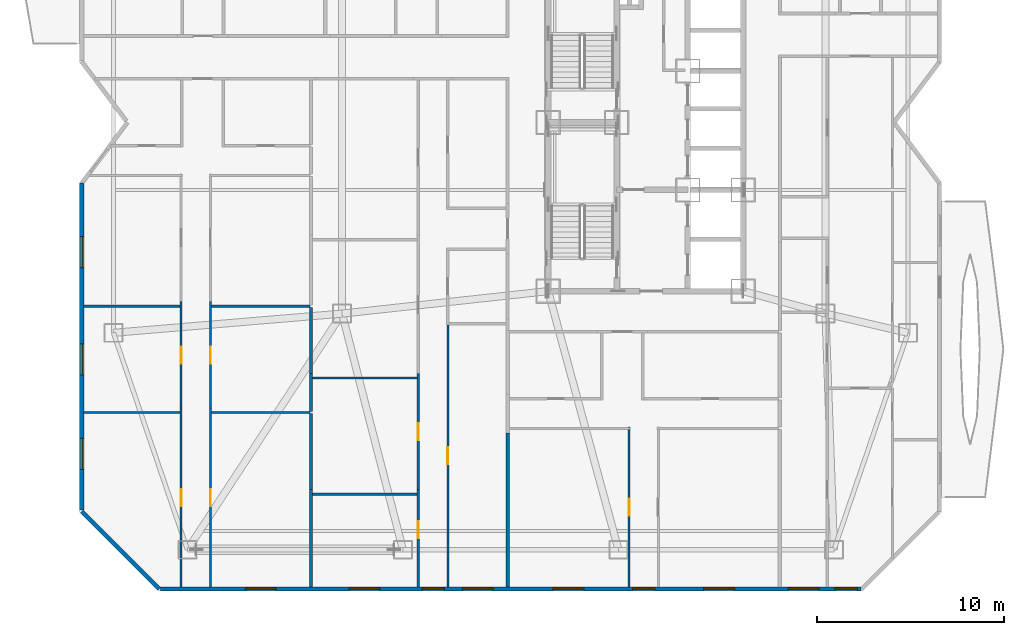
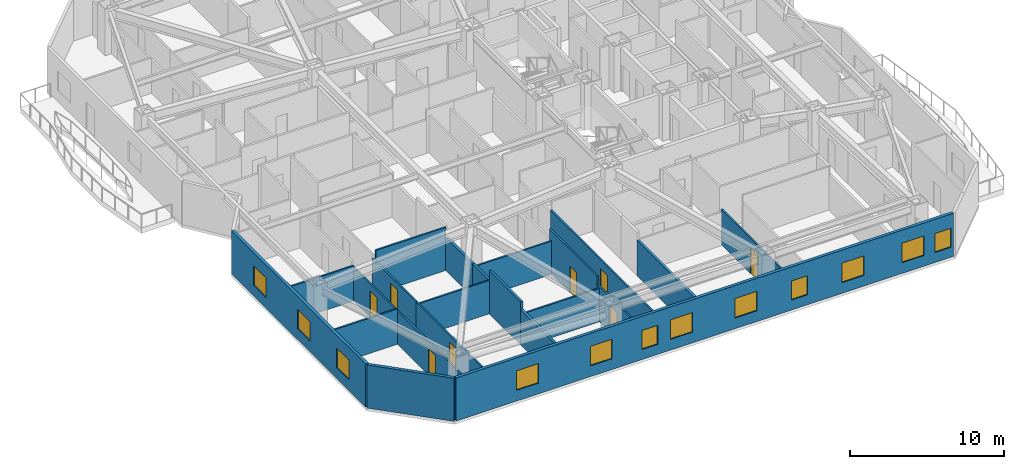
# One storey, part 8 of 16: 22 walls, 12 windows, 8 doors, 20 openings.
"""IFC4 building model written with IfcOpenShell, lengths in metres."""

from ifc_helpers import new_model, si_unit, direction, frame, frame_2d, origin, place, context, subcontext, project, spatial, rectangle, extrude, material, layer, layer_set, type_object, element, fill, save


model = new_model("IFC4")

# Units and contexts
model_context = context("Model", 3, precision=1e-05, world=origin(), true_north=direction((0.0, 1.0)))
body_context = subcontext(model_context, "Body", "Model", "MODEL_VIEW")
ifc_project = project(units=[si_unit("LENGTHUNIT", "METRE"), si_unit("AREAUNIT", "SQUARE_METRE"), si_unit("VOLUMEUNIT", "CUBIC_METRE"), si_unit("PLANEANGLEUNIT", "RADIAN"), si_unit("MASSUNIT", "GRAM", prefix="KILO")], contexts=[model_context])

# Site, building, storey
site_placement = place(None, origin())
site = spatial("IfcSite", under=ifc_project, at=site_placement, CompositionType="ELEMENT")
building_placement = place(site_placement, origin())
building = spatial("IfcBuilding", under=site, at=building_placement, Name="Khamvora Tower", CompositionType="ELEMENT")
storey_placement = place(building_placement, frame((0.0, 0.0, 77.10009765625)))
storey = spatial("IfcBuildingStorey", under=building, at=storey_placement, Name="L19", CompositionType="ELEMENT", Elevation=77.10009765625)

# Walls
ifc_material_1 = material(Name="Acoustic Double-Stud Fire Wall", Category="gypsum")
ifc_layer_1 = layer(ifc_material_1, 0.179931640625)
ifc_layer_set_1 = layer_set([ifc_layer_1], Name="Acoustic Double-Stud Fire Wall")
wall_type_1 = type_object("IfcWallType", Name="WAL-CORR-180", PredefinedType="STANDARD", material=ifc_layer_set_1)
wall_1_placement = place(storey_placement, frame((16.345947265625, 8.406982421875, 0.0), z_axis=(0.0, 0.0, 1.0), x_axis=(0.0, -1.0, 0.0)))
element("IfcWall", 1, at=wall_1_placement, inside=storey, type_object=wall_type_1, Name="L19 interior partition wall 057", PredefinedType="STANDARD", context=body_context, shape_type="SweptSolid", body=[
    extrude(rectangle(XDim=5.195068359375, YDim=0.179931640625, at=frame_2d((2.59765625, 0.0))), origin(), (0.0, 0.0, 1.0), 2.802978515625),
])
wall_2_placement = place(storey_placement, frame((16.345947265625, 12.45703125, 0.0), z_axis=(0.0, 0.0, 1.0), x_axis=(0.0, -1.0, 0.0)))
element("IfcWall", 2, at=wall_2_placement, inside=storey, type_object=wall_type_1, Name="L19 interior partition wall 058", PredefinedType="STANDARD", context=body_context, shape_type="SweptSolid", body=[
    extrude(rectangle(XDim=4.050048828125, YDim=0.179931640625, at=frame_2d((2.02490234375, 0.0))), origin(), (0.0, 0.0, 1.0), 3.429931640625),
])
wall_3_placement = place(storey_placement, frame((16.345947265625, 14.616943359375, 0.0), z_axis=(0.0, 0.0, 1.0), x_axis=(0.0, -1.0, 0.0)))
element("IfcWall", 3, at=wall_3_placement, inside=storey, type_object=wall_type_1, Name="L19 interior partition wall 060", PredefinedType="STANDARD", context=body_context, shape_type="SweptSolid", body=[
    extrude(rectangle(XDim=2.030029296875, YDim=0.179931640625, at=frame_2d((1.01513671875, 0.0))), origin(), (0.0, 0.0, 1.0), 2.64697265625),
])
wall_4_placement = place(storey_placement, frame((16.345947265625, 18.126953125, 0.0), z_axis=(0.0, 0.0, 1.0), x_axis=(0.0, -1.0, 0.0)))
element("IfcWall", 4, at=wall_4_placement, inside=storey, type_object=wall_type_1, Name="L19 interior partition wall 061", PredefinedType="STANDARD", context=body_context, shape_type="SweptSolid", body=[
    extrude(rectangle(XDim=3.510009765625, YDim=0.179931640625, at=frame_2d((1.7548828125, 0.0))), origin(), (0.0, 0.0, 1.0), 2.64697265625),
])
wall_5_placement = place(storey_placement, frame((26.8349609375, 11.426025390625, 0.0), z_axis=(0.0, 0.0, 1.0), x_axis=(0.0, -1.0, 0.0)))
element("IfcWall", 5, at=wall_5_placement, inside=storey, type_object=wall_type_1, Name="L19 interior partition wall 068", PredefinedType="STANDARD", context=body_context, shape_type="SweptSolid", body=[
    extrude(rectangle(XDim=8.214111328125, YDim=0.179931640625, at=frame_2d((4.10693359375, 0.0))), origin(), (0.0, 0.0, 1.0), 2.802978515625),
])
ifc_material_2 = material(Name="Precast concrete C40/50", Category="concrete")
ifc_layer_2 = layer(ifc_material_2, 0.219970703125)
ifc_layer_set_2 = layer_set([ifc_layer_2], Name="Precast concrete C40/50")
wall_type_2 = type_object("IfcWallType", Name="WAL-EXT-220", PredefinedType="STANDARD", material=ifc_layer_set_2)
wall_6_placement = place(storey_placement, frame((8.24609375, 3.110107421875, 0.0), z_axis=(0.0, 0.0, 1.0), x_axis=(-0.707106781187, 0.707106781187, 0.0)))
element("IfcWall", 6, at=wall_6_placement, inside=storey, type_object=wall_type_2, Name="L19 exterior facade wall 01.1", PredefinedType="STANDARD", context=body_context, shape_type="SweptSolid", body=[
    extrude(rectangle(XDim=5.84912109375, YDim=0.219970703125, at=frame_2d((2.924560546875, 0.0))), origin(), (0.0, 0.0, 1.0), 3.429931640625),
])

# Wall, openings, windows
wall_7_placement = place(storey_placement, frame((4.110107421875, 7.31689453125, 0.0), z_axis=(0.0, 0.0, 1.0), x_axis=(0.0, 1.0, 0.0)))
wall_7 = element("IfcWall", 7, at=wall_7_placement, inside=storey, type_object=wall_type_2, Name="L19 exterior facade wall 02.1", PredefinedType="STANDARD", context=body_context, shape_type="SweptSolid", body=[
    extrude(rectangle(XDim=17.446044921875, YDim=0.219970703125, at=frame_2d((8.72314453125, 0.0))), origin(), (0.0, 0.0, 1.0), 3.429931640625),
])
opening_1_placement = place(wall_7_placement, frame((2.169921875, 0.0, 0.85009765625)))
opening_1 = element("IfcOpeningElement", 8, at=opening_1_placement, cuts=wall_7, Name="Opening WN-06", PredefinedType="OPENING", context=body_context, shape_type="SweptSolid", body=[
    extrude(rectangle(XDim=1.64990234375, YDim=1.550048828125, at=frame_2d((0.824951171875, 0.77490234375))), frame((0.0, 0.119873046875, 0.0), z_axis=(0.0, -1.0, 0.0), x_axis=(1.0, 0.0, 0.0)), (0.0, 0.0, 1.0), 0.239990234375),
])
opening_2_placement = place(wall_7_placement, frame((7.215087890625, 0.0, 0.85009765625)))
opening_2 = element("IfcOpeningElement", 9, at=opening_2_placement, cuts=wall_7, Name="Opening WN-06", PredefinedType="OPENING", context=body_context, shape_type="SweptSolid", body=[
    extrude(rectangle(XDim=1.64990234375, YDim=1.550048828125, at=frame_2d((0.824951171875, 0.77490234375))), frame((0.0, 0.119873046875, 0.0), z_axis=(0.0, -1.0, 0.0), x_axis=(1.0, 0.0, 0.0)), (0.0, 0.0, 1.0), 0.239990234375),
])
opening_3_placement = place(wall_7_placement, frame((12.943115234375, 0.0, 0.85009765625)))
opening_3 = element("IfcOpeningElement", 10, at=opening_3_placement, cuts=wall_7, Name="Opening WN-06", PredefinedType="OPENING", context=body_context, shape_type="SweptSolid", body=[
    extrude(rectangle(XDim=1.64990234375, YDim=1.550048828125, at=frame_2d((0.824951171875, 0.77490234375))), frame((0.0, 0.119873046875, 0.0), z_axis=(0.0, -1.0, 0.0), x_axis=(1.0, 0.0, 0.0)), (0.0, 0.0, 1.0), 0.239990234375),
])
ifc_material_3 = material(Name="Low-E Laminated Double Glazing", Category="glass")
window_type_1 = type_object("IfcWindowType", Name="WIN-VIS-1650x1550", PartitioningType="SINGLE_PANEL", PredefinedType="WINDOW", material=ifc_material_3)
window_1_placement = place(opening_1_placement, origin())
window_1 = element("IfcWindow", 11, at=window_1_placement, inside=storey, type_object=window_type_1, Name="L19 vision window 02.1.01", OverallHeight=1.550048828125, OverallWidth=1.64990234375, PartitioningType="SINGLE_PANEL", PredefinedType="WINDOW", context=body_context, shape_type="SweptSolid", body=[
    extrude(rectangle(XDim=1.64990234375, YDim=1.550048828125, at=frame_2d((0.824951171875, 0.77490234375))), frame((0.0, 0.030029296875, 0.0), z_axis=(0.0, -1.0, 0.0), x_axis=(1.0, 0.0, 0.0)), (0.0, 0.0, 1.0), 0.06005859375),
])
fill(opening_1, window_1)
window_2_placement = place(opening_2_placement, origin())
window_2 = element("IfcWindow", 12, at=window_2_placement, inside=storey, type_object=window_type_1, Name="L19 vision window 02.1.02", OverallHeight=1.550048828125, OverallWidth=1.64990234375, PartitioningType="SINGLE_PANEL", PredefinedType="WINDOW", context=body_context, shape_type="SweptSolid", body=[
    extrude(rectangle(XDim=1.64990234375, YDim=1.550048828125, at=frame_2d((0.824951171875, 0.77490234375))), frame((0.0, 0.030029296875, 0.0), z_axis=(0.0, -1.0, 0.0), x_axis=(1.0, 0.0, 0.0)), (0.0, 0.0, 1.0), 0.06005859375),
])
fill(opening_2, window_2)
window_3_placement = place(opening_3_placement, origin())
window_3 = element("IfcWindow", 13, at=window_3_placement, inside=storey, type_object=window_type_1, Name="L19 vision window 02.1.03", OverallHeight=1.550048828125, OverallWidth=1.64990234375, PartitioningType="SINGLE_PANEL", PredefinedType="WINDOW", context=body_context, shape_type="SweptSolid", body=[
    extrude(rectangle(XDim=1.64990234375, YDim=1.550048828125, at=frame_2d((0.824951171875, 0.77490234375))), frame((0.0, 0.030029296875, 0.0), z_axis=(0.0, -1.0, 0.0), x_axis=(1.0, 0.0, 0.0)), (0.0, 0.0, 1.0), 0.06005859375),
])
fill(opening_3, window_3)

wall_8_placement = place(storey_placement, frame((45.68310546875, 3.110107421875, 0.0), z_axis=(0.0, 0.0, 1.0), x_axis=(-1.0, 0.0, 0.0)))
wall_8 = element("IfcWall", 14, at=wall_8_placement, inside=storey, type_object=wall_type_2, Name="L19 exterior facade wall 14.1", PredefinedType="STANDARD", context=body_context, shape_type="SweptSolid", body=[
    extrude(rectangle(XDim=37.3681640625, YDim=0.219970703125, at=frame_2d((18.68408203125, 0.0))), origin(), (0.0, 0.0, 1.0), 3.429931640625),
])
opening_4_placement = place(wall_8_placement, frame((31.194091796875, 0.0, 0.85009765625)))
opening_4 = element("IfcOpeningElement", 15, at=opening_4_placement, cuts=wall_8, Name="Opening WN-06", PredefinedType="OPENING", context=body_context, shape_type="SweptSolid", body=[
    extrude(rectangle(XDim=1.64990234375, YDim=1.550048828125, at=frame_2d((0.824951171875, 0.77490234375))), frame((0.0, 0.119873046875, 0.0), z_axis=(0.0, -1.0, 0.0), x_axis=(1.0, 0.0, 0.0)), (0.0, 0.0, 1.0), 0.239990234375),
])
opening_5_placement = place(wall_8_placement, frame((19.614990234375, 0.0, 0.85009765625)))
opening_5 = element("IfcOpeningElement", 16, at=opening_5_placement, cuts=wall_8, Name="Opening WN-06", PredefinedType="OPENING", context=body_context, shape_type="SweptSolid", body=[
    extrude(rectangle(XDim=1.64990234375, YDim=1.550048828125, at=frame_2d((0.824951171875, 0.77490234375))), frame((0.0, 0.119873046875, 0.0), z_axis=(0.0, -1.0, 0.0), x_axis=(1.0, 0.0, 0.0)), (0.0, 0.0, 1.0), 0.239990234375),
])
opening_6_placement = place(wall_8_placement, frame((22.222900390625, 0.0, 0.800048828125)))
opening_6 = element("IfcOpeningElement", 17, at=opening_6_placement, cuts=wall_8, Name="Opening WN-03", PredefinedType="OPENING", context=body_context, shape_type="SweptSolid", body=[
    extrude(rectangle(XDim=1.199951171875, YDim=1.5, at=frame_2d((0.60009765625, 0.75))), frame((0.0, 0.119873046875, 0.0), z_axis=(0.0, -1.0, 0.0), x_axis=(1.0, 0.0, 0.0)), (0.0, 0.0, 1.0), 0.239990234375),
])
opening_7_placement = place(wall_8_placement, frame((25.64990234375, 0.0, 0.85009765625)))
opening_7 = element("IfcOpeningElement", 18, at=opening_7_placement, cuts=wall_8, Name="Opening WN-06", PredefinedType="OPENING", context=body_context, shape_type="SweptSolid", body=[
    extrude(rectangle(XDim=1.64990234375, YDim=1.550048828125, at=frame_2d((0.824951171875, 0.77490234375))), frame((0.0, 0.119873046875, 0.0), z_axis=(0.0, -1.0, 0.0), x_axis=(1.0, 0.0, 0.0)), (0.0, 0.0, 1.0), 0.239990234375),
])
opening_8_placement = place(wall_8_placement, frame((10.98291015625, 0.0, 0.800048828125)))
opening_8 = element("IfcOpeningElement", 19, at=opening_8_placement, cuts=wall_8, Name="Opening WN-03", PredefinedType="OPENING", context=body_context, shape_type="SweptSolid", body=[
    extrude(rectangle(XDim=1.199951171875, YDim=1.5, at=frame_2d((0.60009765625, 0.75))), frame((0.0, 0.119873046875, 0.0), z_axis=(0.0, -1.0, 0.0), x_axis=(1.0, 0.0, 0.0)), (0.0, 0.0, 1.0), 0.239990234375),
])
opening_9_placement = place(wall_8_placement, frame((14.782958984375, 0.0, 0.85009765625)))
opening_9 = element("IfcOpeningElement", 20, at=opening_9_placement, cuts=wall_8, Name="Opening WN-06", PredefinedType="OPENING", context=body_context, shape_type="SweptSolid", body=[
    extrude(rectangle(XDim=1.64990234375, YDim=1.550048828125, at=frame_2d((0.824951171875, 0.77490234375))), frame((0.0, 0.119873046875, 0.0), z_axis=(0.0, -1.0, 0.0), x_axis=(1.0, 0.0, 0.0)), (0.0, 0.0, 1.0), 0.239990234375),
])
opening_10_placement = place(wall_8_placement, frame((6.73291015625, 0.0, 0.85009765625)))
opening_10 = element("IfcOpeningElement", 21, at=opening_10_placement, cuts=wall_8, Name="Opening WN-06", PredefinedType="OPENING", context=body_context, shape_type="SweptSolid", body=[
    extrude(rectangle(XDim=1.64990234375, YDim=1.550048828125, at=frame_2d((0.824951171875, 0.77490234375))), frame((0.0, 0.119873046875, 0.0), z_axis=(0.0, -1.0, 0.0), x_axis=(1.0, 0.0, 0.0)), (0.0, 0.0, 1.0), 0.239990234375),
])
opening_11_placement = place(wall_8_placement, frame((2.22802734375, 0.0, 0.85009765625)))
opening_11 = element("IfcOpeningElement", 22, at=opening_11_placement, cuts=wall_8, Name="Opening WN-06", PredefinedType="OPENING", context=body_context, shape_type="SweptSolid", body=[
    extrude(rectangle(XDim=1.64990234375, YDim=1.550048828125, at=frame_2d((0.824951171875, 0.77490234375))), frame((0.0, 0.119873046875, 0.0), z_axis=(0.0, -1.0, 0.0), x_axis=(1.0, 0.0, 0.0)), (0.0, 0.0, 1.0), 0.239990234375),
])
opening_12_placement = place(wall_8_placement, frame((0.18701171875, 0.0, 0.800048828125)))
opening_12 = element("IfcOpeningElement", 23, at=opening_12_placement, cuts=wall_8, Name="Opening WN-03", PredefinedType="OPENING", context=body_context, shape_type="SweptSolid", body=[
    extrude(rectangle(XDim=1.199951171875, YDim=1.5, at=frame_2d((0.60009765625, 0.75))), frame((0.0, 0.119873046875, 0.0), z_axis=(0.0, -1.0, 0.0), x_axis=(1.0, 0.0, 0.0)), (0.0, 0.0, 1.0), 0.239990234375),
])
window_type_2 = type_object("IfcWindowType", Name="WIN-VIS-1200x1500", PartitioningType="SINGLE_PANEL", PredefinedType="WINDOW", material=ifc_material_3)
window_4_placement = place(opening_6_placement, origin())
window_4 = element("IfcWindow", 24, at=window_4_placement, inside=storey, type_object=window_type_2, Name="L19 vision window 14.1.03", OverallHeight=1.5, OverallWidth=1.199951171875, PartitioningType="SINGLE_PANEL", PredefinedType="WINDOW", context=body_context, shape_type="SweptSolid", body=[
    extrude(rectangle(XDim=1.199951171875, YDim=1.5, at=frame_2d((0.60009765625, 0.75))), frame((0.0, 0.030029296875, 0.0), z_axis=(0.0, -1.0, 0.0), x_axis=(1.0, 0.0, 0.0)), (0.0, 0.0, 1.0), 0.06005859375),
])
fill(opening_6, window_4)
window_5_placement = place(opening_8_placement, origin())
window_5 = element("IfcWindow", 25, at=window_5_placement, inside=storey, type_object=window_type_2, Name="L19 vision window 14.1.05", OverallHeight=1.5, OverallWidth=1.199951171875, PartitioningType="SINGLE_PANEL", PredefinedType="WINDOW", context=body_context, shape_type="SweptSolid", body=[
    extrude(rectangle(XDim=1.199951171875, YDim=1.5, at=frame_2d((0.60009765625, 0.75))), frame((0.0, 0.030029296875, 0.0), z_axis=(0.0, -1.0, 0.0), x_axis=(1.0, 0.0, 0.0)), (0.0, 0.0, 1.0), 0.06005859375),
])
fill(opening_8, window_5)
window_6_placement = place(opening_12_placement, origin())
window_6 = element("IfcWindow", 26, at=window_6_placement, inside=storey, type_object=window_type_2, Name="L19 vision window 14.1.09", OverallHeight=1.5, OverallWidth=1.199951171875, PartitioningType="SINGLE_PANEL", PredefinedType="WINDOW", context=body_context, shape_type="SweptSolid", body=[
    extrude(rectangle(XDim=1.199951171875, YDim=1.5, at=frame_2d((0.60009765625, 0.75))), frame((0.0, 0.030029296875, 0.0), z_axis=(0.0, -1.0, 0.0), x_axis=(1.0, 0.0, 0.0)), (0.0, 0.0, 1.0), 0.06005859375),
])
fill(opening_12, window_6)
window_7_placement = place(opening_4_placement, origin())
window_7 = element("IfcWindow", 27, at=window_7_placement, inside=storey, type_object=window_type_1, Name="L19 vision window 14.1.01", OverallHeight=1.550048828125, OverallWidth=1.64990234375, PartitioningType="SINGLE_PANEL", PredefinedType="WINDOW", context=body_context, shape_type="SweptSolid", body=[
    extrude(rectangle(XDim=1.64990234375, YDim=1.550048828125, at=frame_2d((0.824951171875, 0.77490234375))), frame((0.0, 0.030029296875, 0.0), z_axis=(0.0, -1.0, 0.0), x_axis=(1.0, 0.0, 0.0)), (0.0, 0.0, 1.0), 0.06005859375),
])
fill(opening_4, window_7)
window_8_placement = place(opening_5_placement, origin())
window_8 = element("IfcWindow", 28, at=window_8_placement, inside=storey, type_object=window_type_1, Name="L19 vision window 14.1.02", OverallHeight=1.550048828125, OverallWidth=1.64990234375, PartitioningType="SINGLE_PANEL", PredefinedType="WINDOW", context=body_context, shape_type="SweptSolid", body=[
    extrude(rectangle(XDim=1.64990234375, YDim=1.550048828125, at=frame_2d((0.824951171875, 0.77490234375))), frame((0.0, 0.030029296875, 0.0), z_axis=(0.0, -1.0, 0.0), x_axis=(1.0, 0.0, 0.0)), (0.0, 0.0, 1.0), 0.06005859375),
])
fill(opening_5, window_8)
window_9_placement = place(opening_7_placement, origin())
window_9 = element("IfcWindow", 29, at=window_9_placement, inside=storey, type_object=window_type_1, Name="L19 vision window 14.1.04", OverallHeight=1.550048828125, OverallWidth=1.64990234375, PartitioningType="SINGLE_PANEL", PredefinedType="WINDOW", context=body_context, shape_type="SweptSolid", body=[
    extrude(rectangle(XDim=1.64990234375, YDim=1.550048828125, at=frame_2d((0.824951171875, 0.77490234375))), frame((0.0, 0.030029296875, 0.0), z_axis=(0.0, -1.0, 0.0), x_axis=(1.0, 0.0, 0.0)), (0.0, 0.0, 1.0), 0.06005859375),
])
fill(opening_7, window_9)
window_10_placement = place(opening_9_placement, origin())
window_10 = element("IfcWindow", 30, at=window_10_placement, inside=storey, type_object=window_type_1, Name="L19 vision window 14.1.06", OverallHeight=1.550048828125, OverallWidth=1.64990234375, PartitioningType="SINGLE_PANEL", PredefinedType="WINDOW", context=body_context, shape_type="SweptSolid", body=[
    extrude(rectangle(XDim=1.64990234375, YDim=1.550048828125, at=frame_2d((0.824951171875, 0.77490234375))), frame((0.0, 0.030029296875, 0.0), z_axis=(0.0, -1.0, 0.0), x_axis=(1.0, 0.0, 0.0)), (0.0, 0.0, 1.0), 0.06005859375),
])
fill(opening_9, window_10)
window_11_placement = place(opening_10_placement, origin())
window_11 = element("IfcWindow", 31, at=window_11_placement, inside=storey, type_object=window_type_1, Name="L19 vision window 14.1.07", OverallHeight=1.550048828125, OverallWidth=1.64990234375, PartitioningType="SINGLE_PANEL", PredefinedType="WINDOW", context=body_context, shape_type="SweptSolid", body=[
    extrude(rectangle(XDim=1.64990234375, YDim=1.550048828125, at=frame_2d((0.824951171875, 0.77490234375))), frame((0.0, 0.030029296875, 0.0), z_axis=(0.0, -1.0, 0.0), x_axis=(1.0, 0.0, 0.0)), (0.0, 0.0, 1.0), 0.06005859375),
])
fill(opening_10, window_11)
window_12_placement = place(opening_11_placement, origin())
window_12 = element("IfcWindow", 32, at=window_12_placement, inside=storey, type_object=window_type_1, Name="L19 vision window 14.1.08", OverallHeight=1.550048828125, OverallWidth=1.64990234375, PartitioningType="SINGLE_PANEL", PredefinedType="WINDOW", context=body_context, shape_type="SweptSolid", body=[
    extrude(rectangle(XDim=1.64990234375, YDim=1.550048828125, at=frame_2d((0.824951171875, 0.77490234375))), frame((0.0, 0.030029296875, 0.0), z_axis=(0.0, -1.0, 0.0), x_axis=(1.0, 0.0, 0.0)), (0.0, 0.0, 1.0), 0.06005859375),
])
fill(opening_11, window_12)

# Wall, opening, door
ifc_material_4 = material(Name="Gypsum Plasterboard Partition", Category="gypsum")
ifc_layer_3 = layer(ifc_material_4, 0.1201171875)
ifc_layer_set_3 = layer_set([ifc_layer_3], Name="Gypsum Plasterboard Partition")
wall_type_3 = type_object("IfcWallType", Name="WAL-PART-120", PredefinedType="PARTITIONING", material=ifc_layer_set_3)
wall_9_placement = place(storey_placement, frame((9.410888671875, 3.2119140625, 0.0), z_axis=(0.0, 0.0, 1.0), x_axis=(0.0, 1.0, 0.0)))
wall_9 = element("IfcWall", 33, at=wall_9_placement, inside=storey, type_object=wall_type_3, Name="L19 interior partition wall 044", PredefinedType="PARTITIONING", context=body_context, shape_type="SweptSolid", body=[
    extrude(rectangle(XDim=9.56005859375, YDim=0.1201171875, at=frame_2d((4.780029296875, 0.0))), origin(), (0.0, 0.0, 1.0), 2.64697265625),
])
opening_13_placement = place(wall_9_placement, frame((4.30810546875, 0.0, 0.0)))
opening_13 = element("IfcOpeningElement", 34, at=opening_13_placement, cuts=wall_9, Name="Opening D-RM1", PredefinedType="OPENING", context=body_context, shape_type="SweptSolid", body=[
    extrude(rectangle(XDim=0.89990234375, YDim=2.10009765625, at=frame_2d((0.449951171875, 1.050048828125))), frame((0.0, 0.070068359375, 0.0), z_axis=(0.0, -1.0, 0.0), x_axis=(1.0, 0.0, 0.0)), (0.0, 0.0, 1.0), 0.14013671875),
])
ifc_material_5 = material(Name="Powder-Coated Steel and Hardwood Leaf", Category="steel")
door_type = type_object("IfcDoorType", Name="DOR-ROOM-900", OperationType="NOTDEFINED", PredefinedType="DOOR", material=ifc_material_5)
door_1_placement = place(opening_13_placement, origin())
door_1 = element("IfcDoor", 35, at=door_1_placement, inside=storey, type_object=door_type, Name="L19 interior door 19WA1H-19WA1R1", OperationType="SINGLE_SWING_LEFT", OverallHeight=2.10009765625, OverallWidth=0.89990234375, PredefinedType="DOOR", context=body_context, shape_type="SweptSolid", body=[
    extrude(rectangle(XDim=0.89990234375, YDim=2.10009765625, at=frame_2d((0.449951171875, 1.050048828125))), frame((0.0, 0.02490234375, 0.0), z_axis=(0.0, -1.0, 0.0), x_axis=(1.0, 0.0, 0.0)), (0.0, 0.0, 1.0), 0.050048828125),
])
fill(opening_13, door_1)

wall_10_placement = place(storey_placement, frame((9.410888671875, 12.77197265625, 0.0), z_axis=(0.0, 0.0, 1.0), x_axis=(0.0, 1.0, 0.0)))
wall_10 = element("IfcWall", 36, at=wall_10_placement, inside=storey, type_object=wall_type_3, Name="L19 interior partition wall 045", PredefinedType="PARTITIONING", context=body_context, shape_type="SweptSolid", body=[
    extrude(rectangle(XDim=5.669921875, YDim=0.1201171875, at=frame_2d((2.8349609375, 0.0))), origin(), (0.0, 0.0, 1.0), 2.64697265625),
])
opening_14_placement = place(wall_10_placement, frame((2.363037109375, 0.0, 0.0)))
opening_14 = element("IfcOpeningElement", 37, at=opening_14_placement, cuts=wall_10, Name="Opening D-RM1", PredefinedType="OPENING", context=body_context, shape_type="SweptSolid", body=[
    extrude(rectangle(XDim=0.89990234375, YDim=2.10009765625, at=frame_2d((0.449951171875, 1.050048828125))), frame((0.0, 0.070068359375, 0.0), z_axis=(0.0, -1.0, 0.0), x_axis=(1.0, 0.0, 0.0)), (0.0, 0.0, 1.0), 0.14013671875),
])
door_2_placement = place(opening_14_placement, origin())
door_2 = element("IfcDoor", 38, at=door_2_placement, inside=storey, type_object=door_type, Name="L19 interior door 19WA1H-19WA1R2", OperationType="SINGLE_SWING_RIGHT", OverallHeight=2.10009765625, OverallWidth=0.89990234375, PredefinedType="DOOR", context=body_context, shape_type="SweptSolid", body=[
    extrude(rectangle(XDim=0.89990234375, YDim=2.10009765625, at=frame_2d((0.449951171875, 1.050048828125))), frame((0.0, 0.02490234375, 0.0), z_axis=(0.0, -1.0, 0.0), x_axis=(1.0, 0.0, 0.0)), (0.0, 0.0, 1.0), 0.050048828125),
])
fill(opening_14, door_2)

wall_11_placement = place(storey_placement, frame((10.98095703125, 12.77197265625, 0.0), z_axis=(0.0, 0.0, 1.0), x_axis=(0.0, -1.0, 0.0)))
wall_11 = element("IfcWall", 39, at=wall_11_placement, inside=storey, type_object=wall_type_3, Name="L19 interior partition wall 048", PredefinedType="PARTITIONING", context=body_context, shape_type="SweptSolid", body=[
    extrude(rectangle(XDim=9.56005859375, YDim=0.1201171875, at=frame_2d((4.780029296875, 0.0))), origin(), (0.0, 0.0, 1.0), 2.64697265625),
])
opening_15_placement = place(wall_11_placement, frame((4.35107421875, 0.0, 0.0)))
opening_15 = element("IfcOpeningElement", 40, at=opening_15_placement, cuts=wall_11, Name="Opening D-RM1", PredefinedType="OPENING", context=body_context, shape_type="SweptSolid", body=[
    extrude(rectangle(XDim=0.89990234375, YDim=2.10009765625, at=frame_2d((0.449951171875, 1.050048828125))), frame((0.0, 0.070068359375, 0.0), z_axis=(0.0, -1.0, 0.0), x_axis=(1.0, 0.0, 0.0)), (0.0, 0.0, 1.0), 0.14013671875),
])
door_3_placement = place(opening_15_placement, origin())
door_3 = element("IfcDoor", 41, at=door_3_placement, inside=storey, type_object=door_type, Name="L19 interior door 19WA1H-19WA1R4", OperationType="SINGLE_SWING_RIGHT", OverallHeight=2.10009765625, OverallWidth=0.89990234375, PredefinedType="DOOR", context=body_context, shape_type="SweptSolid", body=[
    extrude(rectangle(XDim=0.89990234375, YDim=2.10009765625, at=frame_2d((0.449951171875, 1.050048828125))), frame((0.0, 0.02490234375, 0.0), z_axis=(0.0, -1.0, 0.0), x_axis=(1.0, 0.0, 0.0)), (0.0, 0.0, 1.0), 0.050048828125),
])
fill(opening_15, door_3)

wall_12_placement = place(storey_placement, frame((10.98095703125, 18.44189453125, 0.0), z_axis=(0.0, 0.0, 1.0), x_axis=(0.0, -1.0, 0.0)))
wall_12 = element("IfcWall", 42, at=wall_12_placement, inside=storey, type_object=wall_type_3, Name="L19 interior partition wall 049", PredefinedType="PARTITIONING", context=body_context, shape_type="SweptSolid", body=[
    extrude(rectangle(XDim=5.669921875, YDim=0.1201171875, at=frame_2d((2.8349609375, 0.0))), origin(), (0.0, 0.0, 1.0), 2.64697265625),
])
opening_16_placement = place(wall_12_placement, frame((2.406005859375, 0.0, 0.0)))
opening_16 = element("IfcOpeningElement", 43, at=opening_16_placement, cuts=wall_12, Name="Opening D-RM1", PredefinedType="OPENING", context=body_context, shape_type="SweptSolid", body=[
    extrude(rectangle(XDim=0.89990234375, YDim=2.10009765625, at=frame_2d((0.449951171875, 1.050048828125))), frame((0.0, 0.070068359375, 0.0), z_axis=(0.0, -1.0, 0.0), x_axis=(1.0, 0.0, 0.0)), (0.0, 0.0, 1.0), 0.14013671875),
])
door_4_placement = place(opening_16_placement, origin())
door_4 = element("IfcDoor", 44, at=door_4_placement, inside=storey, type_object=door_type, Name="L19 interior door 19WA1H-19WA1R5", OperationType="SINGLE_SWING_LEFT", OverallHeight=2.10009765625, OverallWidth=0.89990234375, PredefinedType="DOOR", context=body_context, shape_type="SweptSolid", body=[
    extrude(rectangle(XDim=0.89990234375, YDim=2.10009765625, at=frame_2d((0.449951171875, 1.050048828125))), frame((0.0, 0.02490234375, 0.0), z_axis=(0.0, -1.0, 0.0), x_axis=(1.0, 0.0, 0.0)), (0.0, 0.0, 1.0), 0.050048828125),
])
fill(opening_16, door_4)

# Walls
for number, where, z_axis, x_axis, name in (
    (45, (4.2119140625, 12.52197265625, 0.0), (0.0, 0.0, 1.0), (1.0, 0.0, 0.0), "L19 interior partition wall 054"),
    (46, (4.2119140625, 18.19189453125, 0.0), (0.0, 0.0, 1.0), (1.0, 0.0, 0.0), "L19 interior partition wall 055"),
):
    element("IfcWall", number, at=place(storey_placement, frame(where, z_axis=z_axis, x_axis=x_axis)), inside=storey, type_object=wall_type_3, Name=name, PredefinedType="PARTITIONING", context=body_context, shape_type="SweptSolid", body=[
        extrude(rectangle(XDim=5.14501953125, YDim=0.1201171875, at=frame_2d((2.572509765625, 0.0))), origin(), (0.0, 0.0, 1.0), 2.802978515625),
    ])
wall_13_placement = place(storey_placement, frame((11.034912109375, 12.52197265625, 0.0), z_axis=(0.0, 0.0, 1.0), x_axis=(1.0, 0.0, 0.0)))
element("IfcWall", 47, at=wall_13_placement, inside=storey, type_object=wall_type_3, Name="L19 interior partition wall 056", PredefinedType="PARTITIONING", context=body_context, shape_type="SweptSolid", body=[
    extrude(rectangle(XDim=5.24609375, YDim=0.1201171875, at=frame_2d((2.623046875, 0.0))), origin(), (0.0, 0.0, 1.0), 2.64697265625),
])
wall_14_placement = place(storey_placement, frame((11.034912109375, 18.19189453125, 0.0), z_axis=(0.0, 0.0, 1.0), x_axis=(1.0, 0.0, 0.0)))
element("IfcWall", 48, at=wall_14_placement, inside=storey, type_object=wall_type_3, Name="L19 interior partition wall 059", PredefinedType="PARTITIONING", context=body_context, shape_type="SweptSolid", body=[
    extrude(rectangle(XDim=5.24609375, YDim=0.1201171875, at=frame_2d((2.623046875, 0.0))), origin(), (0.0, 0.0, 1.0), 3.429931640625),
])

# Wall, opening, door
wall_15_placement = place(storey_placement, frame((23.64990234375, 3.2119140625, 0.0), z_axis=(0.0, 0.0, 1.0), x_axis=(0.0, 1.0, 0.0)))
wall_15 = element("IfcWall", 49, at=wall_15_placement, inside=storey, type_object=wall_type_3, Name="L19 interior partition wall 064", PredefinedType="PARTITIONING", context=body_context, shape_type="SweptSolid", body=[
    extrude(rectangle(XDim=13.9921875, YDim=0.1201171875, at=frame_2d((6.99609375, 0.0))), origin(), (0.0, 0.0, 1.0), 2.802978515625),
])
opening_17_placement = place(wall_15_placement, frame((6.5458984375, 0.0, 0.0)))
opening_17 = element("IfcOpeningElement", 50, at=opening_17_placement, cuts=wall_15, Name="Opening D-RM1", PredefinedType="OPENING", context=body_context, shape_type="SweptSolid", body=[
    extrude(rectangle(XDim=0.89990234375, YDim=2.10009765625, at=frame_2d((0.449951171875, 1.050048828125))), frame((0.0, 0.070068359375, 0.0), z_axis=(0.0, -1.0, 0.0), x_axis=(1.0, 0.0, 0.0)), (0.0, 0.0, 1.0), 0.14013671875),
])
door_5_placement = place(opening_17_placement, origin())
door_5 = element("IfcDoor", 51, at=door_5_placement, inside=storey, type_object=door_type, Name="L19 interior door 19WA2W1-19WA2H", OperationType="SINGLE_SWING_LEFT", OverallHeight=2.10009765625, OverallWidth=0.89990234375, PredefinedType="DOOR", context=body_context, shape_type="SweptSolid", body=[
    extrude(rectangle(XDim=0.89990234375, YDim=2.10009765625, at=frame_2d((0.449951171875, 1.050048828125))), frame((0.0, 0.02490234375, 0.0), z_axis=(0.0, -1.0, 0.0), x_axis=(1.0, 0.0, 0.0)), (0.0, 0.0, 1.0), 0.050048828125),
])
fill(opening_17, door_5)

wall_16_placement = place(storey_placement, frame((22.070068359375, 3.2119140625, 0.0), z_axis=(0.0, 0.0, 1.0), x_axis=(0.0, 1.0, 0.0)))
wall_16 = element("IfcWall", 52, at=wall_16_placement, inside=storey, type_object=wall_type_3, Name="L19 interior partition wall 073", PredefinedType="PARTITIONING", context=body_context, shape_type="SweptSolid", body=[
    extrude(rectangle(XDim=5.195068359375, YDim=0.1201171875, at=frame_2d((2.59765625, 0.0))), origin(), (0.0, 0.0, 1.0), 2.802978515625),
])
opening_18_placement = place(wall_16_placement, frame((2.60205078125, 0.0, 0.0)))
opening_18 = element("IfcOpeningElement", 53, at=opening_18_placement, cuts=wall_16, Name="Opening D-RM1", PredefinedType="OPENING", context=body_context, shape_type="SweptSolid", body=[
    extrude(rectangle(XDim=0.89990234375, YDim=2.10009765625, at=frame_2d((0.449951171875, 1.050048828125))), frame((0.0, 0.070068359375, 0.0), z_axis=(0.0, -1.0, 0.0), x_axis=(1.0, 0.0, 0.0)), (0.0, 0.0, 1.0), 0.14013671875),
])
door_6_placement = place(opening_18_placement, origin())
door_6 = element("IfcDoor", 54, at=door_6_placement, inside=storey, type_object=door_type, Name="L19 interior door 19WA2H-19WA2L", OperationType="SINGLE_SWING_RIGHT", OverallHeight=2.10009765625, OverallWidth=0.89990234375, PredefinedType="DOOR", context=body_context, shape_type="SweptSolid", body=[
    extrude(rectangle(XDim=0.89990234375, YDim=2.10009765625, at=frame_2d((0.449951171875, 1.050048828125))), frame((0.0, 0.02490234375, 0.0), z_axis=(0.0, -1.0, 0.0), x_axis=(1.0, 0.0, 0.0)), (0.0, 0.0, 1.0), 0.050048828125),
])
fill(opening_18, door_6)

wall_17_placement = place(storey_placement, frame((22.070068359375, 8.406982421875, 0.0), z_axis=(0.0, 0.0, 1.0), x_axis=(0.0, 1.0, 0.0)))
wall_17 = element("IfcWall", 55, at=wall_17_placement, inside=storey, type_object=wall_type_3, Name="L19 interior partition wall 074", PredefinedType="PARTITIONING", context=body_context, shape_type="SweptSolid", body=[
    extrude(rectangle(XDim=6.2099609375, YDim=0.1201171875, at=frame_2d((3.10498046875, 0.0))), origin(), (0.0, 0.0, 1.0), 3.429931640625),
])
opening_19_placement = place(wall_17_placement, frame((2.634033203125, 0.0, 0.0)))
opening_19 = element("IfcOpeningElement", 56, at=opening_19_placement, cuts=wall_17, Name="Opening D-RM1", PredefinedType="OPENING", context=body_context, shape_type="SweptSolid", body=[
    extrude(rectangle(XDim=0.89990234375, YDim=2.10009765625, at=frame_2d((0.449951171875, 1.050048828125))), frame((0.0, 0.070068359375, 0.0), z_axis=(0.0, -1.0, 0.0), x_axis=(1.0, 0.0, 0.0)), (0.0, 0.0, 1.0), 0.14013671875),
])
door_7_placement = place(opening_19_placement, origin())
door_7 = element("IfcDoor", 57, at=door_7_placement, inside=storey, type_object=door_type, Name="L19 interior door 19WA2H-19WA2R2", OperationType="SINGLE_SWING_LEFT", OverallHeight=2.10009765625, OverallWidth=0.89990234375, PredefinedType="DOOR", context=body_context, shape_type="SweptSolid", body=[
    extrude(rectangle(XDim=0.89990234375, YDim=2.10009765625, at=frame_2d((0.449951171875, 1.050048828125))), frame((0.0, 0.02490234375, 0.0), z_axis=(0.0, -1.0, 0.0), x_axis=(1.0, 0.0, 0.0)), (0.0, 0.0, 1.0), 0.050048828125),
])
fill(opening_19, door_7)

# Walls
for number, where, z_axis, x_axis, name in (
    (58, (16.427978515625, 8.157958984375, 0.0), (0.0, 0.0, 1.0), (1.0, 0.0, 0.0), "L19 interior partition wall 077"),
    (59, (16.427978515625, 14.367919921875, 0.0), (0.0, 0.0, 1.0), (1.0, 0.0, 0.0), "L19 interior partition wall 078"),
):
    element("IfcWall", number, at=place(storey_placement, frame(where, z_axis=z_axis, x_axis=x_axis)), inside=storey, type_object=wall_type_3, Name=name, PredefinedType="PARTITIONING", context=body_context, shape_type="SweptSolid", body=[
        extrude(rectangle(XDim=5.588134765625, YDim=0.1201171875, at=frame_2d((2.7939453125, 0.0))), origin(), (0.0, 0.0, 1.0), 2.64697265625),
    ])

# Wall, opening, door
wall_18_placement = place(storey_placement, frame((33.31494140625, 3.2119140625, 0.0), z_axis=(0.0, 0.0, 1.0), x_axis=(0.0, 1.0, 0.0)))
wall_18 = element("IfcWall", 60, at=wall_18_placement, inside=storey, type_object=wall_type_3, Name="L19 interior partition wall 117", PredefinedType="PARTITIONING", context=body_context, shape_type="SweptSolid", body=[
    extrude(rectangle(XDim=8.528076171875, YDim=0.1201171875, at=frame_2d((4.26416015625, 0.0))), origin(), (0.0, 0.0, 1.0), 2.802978515625),
])
opening_20_placement = place(wall_18_placement, frame((3.81396484375, 0.0, 0.0)))
opening_20 = element("IfcOpeningElement", 61, at=opening_20_placement, cuts=wall_18, Name="Opening D-RM1", PredefinedType="OPENING", context=body_context, shape_type="SweptSolid", body=[
    extrude(rectangle(XDim=0.89990234375, YDim=2.10009765625, at=frame_2d((0.449951171875, 1.050048828125))), frame((0.0, 0.070068359375, 0.0), z_axis=(0.0, -1.0, 0.0), x_axis=(1.0, 0.0, 0.0)), (0.0, 0.0, 1.0), 0.14013671875),
])
door_8_placement = place(opening_20_placement, origin())
door_8 = element("IfcDoor", 62, at=door_8_placement, inside=storey, type_object=door_type, Name="L19 interior door 19SAH-19SAR1", OperationType="SINGLE_SWING_LEFT", OverallHeight=2.10009765625, OverallWidth=0.89990234375, PredefinedType="DOOR", context=body_context, shape_type="SweptSolid", body=[
    extrude(rectangle(XDim=0.89990234375, YDim=2.10009765625, at=frame_2d((0.449951171875, 1.050048828125))), frame((0.0, 0.02490234375, 0.0), z_axis=(0.0, -1.0, 0.0), x_axis=(1.0, 0.0, 0.0)), (0.0, 0.0, 1.0), 0.050048828125),
])
fill(opening_20, door_8)

save(model, "model.ifc")
